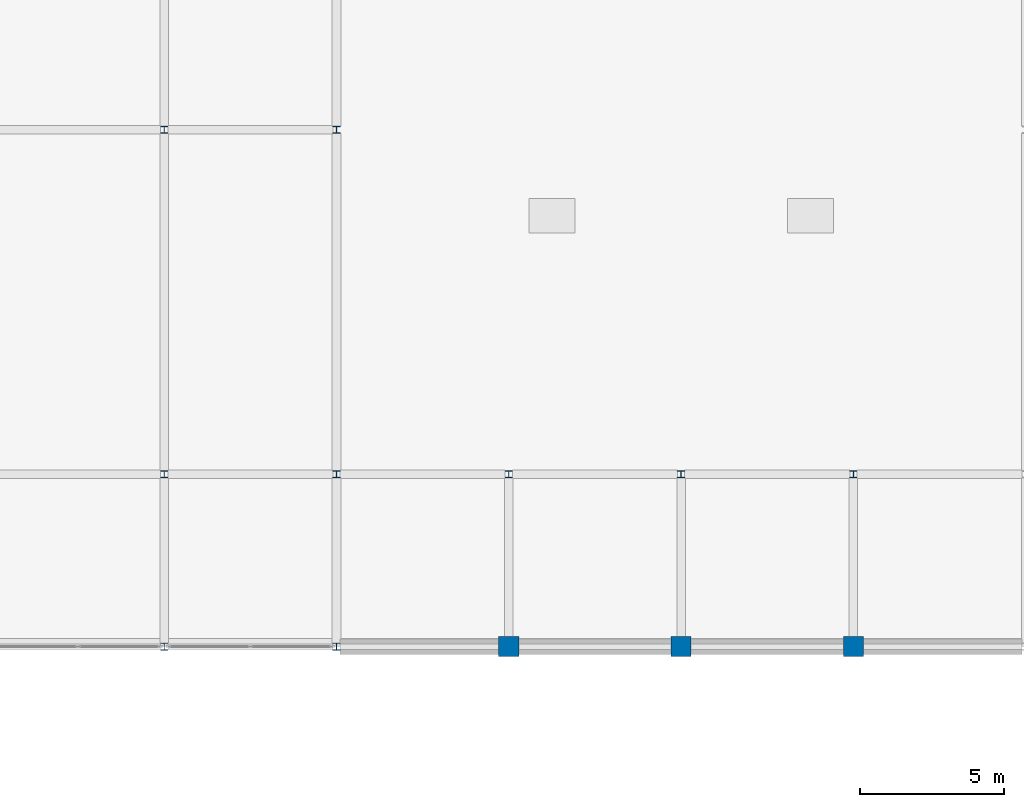
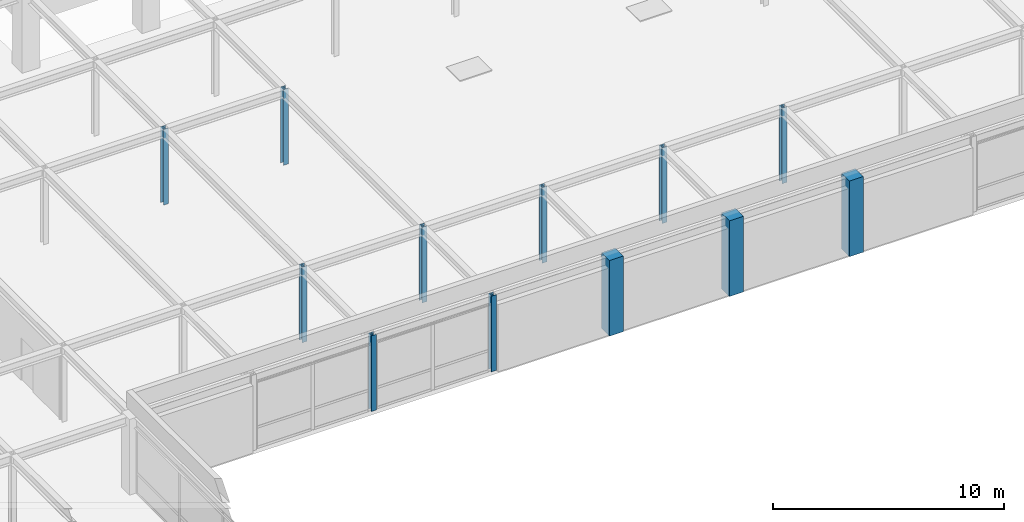
# One storey, part 7 of 111: 12 columns.
"""IFC4 building model written with IfcOpenShell, lengths in metres."""

from ifc_helpers import new_model, si_unit, direction, frame, origin, origin_2d, place, context, subcontext, project, spatial, rectangle, i_section, extrude, material, material_profile, profile_set, type_object, element, save


model = new_model("IFC4")

# Units and contexts
model_context = context("Model", 3, precision=1e-05, world=origin(), true_north=direction((0.0, 1.0)))
body_context = subcontext(model_context, "Body", "Model", "MODEL_VIEW")
ifc_project = project(units=[si_unit("LENGTHUNIT", "METRE"), si_unit("AREAUNIT", "SQUARE_METRE"), si_unit("VOLUMEUNIT", "CUBIC_METRE"), si_unit("PLANEANGLEUNIT", "RADIAN"), si_unit("MASSUNIT", "GRAM", prefix="KILO")], contexts=[model_context])

# Site, building, storey
site_placement = place(None, origin())
site = spatial("IfcSite", under=ifc_project, at=site_placement, CompositionType="ELEMENT")
building_placement = place(site_placement, origin())
building = spatial("IfcBuilding", under=site, at=building_placement, Name="Zlatovratsky Civic Hall", CompositionType="ELEMENT")
storey_placement = place(building_placement, frame((0.0, 0.0, 16.5)))
storey = spatial("IfcBuildingStorey", under=building, at=storey_placement, Name="L04", CompositionType="ELEMENT", Elevation=16.5)

# Columns
ifc_material_1 = material(Name="Concrete C35/45 (B40)", Category="concrete")
ifc_material_profile_1 = material_profile(ifc_material_1, rectangle(XDim=0.699951171875, YDim=0.699951171875, at=origin_2d()), Name="RC 700x700")
ifc_profile_set_1 = profile_set([ifc_material_profile_1], Name="Concrete C35/45 (B40)")
column_type_1 = type_object("IfcColumnType", Name="Col_CorePier_RC700", PredefinedType="COLUMN", material=ifc_profile_set_1)
for number, where, z_axis, x_axis, name in (
    (1, (78.0, 12.0, 0.0), (0.0, 0.0, 1.0), (1.0, 0.0, 0.0), "CL-1575"),
    (2, (84.0, 12.0, 0.0), (0.0, 0.0, 1.0), (1.0, 0.0, 0.0), "CL-1576"),
    (3, (90.0, 12.0, 0.0), (0.0, 0.0, 1.0), (1.0, 0.0, 0.0), "CL-1577"),
):
    element("IfcColumn", number, at=place(storey_placement, frame(where, z_axis=z_axis, x_axis=x_axis)), inside=storey, type_object=column_type_1, Name=name, PredefinedType="COLUMN", context=body_context, shape_type="SweptSolid", body=[
        extrude(rectangle(XDim=0.699951171875, YDim=0.699951171875, at=origin_2d()), origin(), (0.0, 0.0, 1.0), 4.0),
    ])
ifc_material_2 = material(Name="Steel S355", Category="steel")
ifc_material_profile_2 = material_profile(ifc_material_2, i_section(OverallWidth=0.25, OverallDepth=0.25, WebThickness=0.009033203125, FlangeThickness=0.013916015625, FilletRadius=0.01611328125, at=origin_2d()), Name="25K2")
ifc_profile_set_2 = profile_set([ifc_material_profile_2], Name="Steel S355")
column_type_2 = type_object("IfcColumnType", Name="Col_Steel_25K2", PredefinedType="COLUMN", material=ifc_profile_set_2)
for number, where, z_axis, x_axis, name in (
    (4, (66.0, 12.0, 0.0), (0.0, 0.0, 1.0), (1.0, 0.0, 0.0), "CL-1573"),
    (5, (72.0, 12.0, 0.0), (0.0, 0.0, 1.0), (1.0, 0.0, 0.0), "CL-1574"),
    (6, (66.0, 18.0, 0.0), (0.0, 0.0, 1.0), (1.0, 0.0, 0.0), "CL-1596"),
    (7, (72.0, 18.0, 0.0), (0.0, 0.0, 1.0), (1.0, 0.0, 0.0), "CL-1597"),
    (8, (78.0, 18.0, 0.0), (0.0, 0.0, 1.0), (1.0, 0.0, 0.0), "CL-1598"),
    (9, (84.0, 18.0, 0.0), (0.0, 0.0, 1.0), (1.0, 0.0, 0.0), "CL-1599"),
    (10, (90.0, 18.0, 0.0), (0.0, 0.0, 1.0), (1.0, 0.0, 0.0), "CL-1600"),
    (11, (66.0, 30.0, 0.0), (0.0, 0.0, 1.0), (1.0, 0.0, 0.0), "CL-1619"),
    (12, (72.0, 30.0, 0.0), (0.0, 0.0, 1.0), (1.0, 0.0, 0.0), "CL-1620"),
):
    element("IfcColumn", number, at=place(storey_placement, frame(where, z_axis=z_axis, x_axis=x_axis)), inside=storey, type_object=column_type_2, Name=name, PredefinedType="COLUMN", context=body_context, shape_type="SweptSolid", body=[
        extrude(i_section(OverallWidth=0.25, OverallDepth=0.25, WebThickness=0.009033203125, FlangeThickness=0.013916015625, FilletRadius=0.01611328125, at=origin_2d()), origin(), (0.0, 0.0, 1.0), 4.0),
    ])

save(model, "model.ifc")
